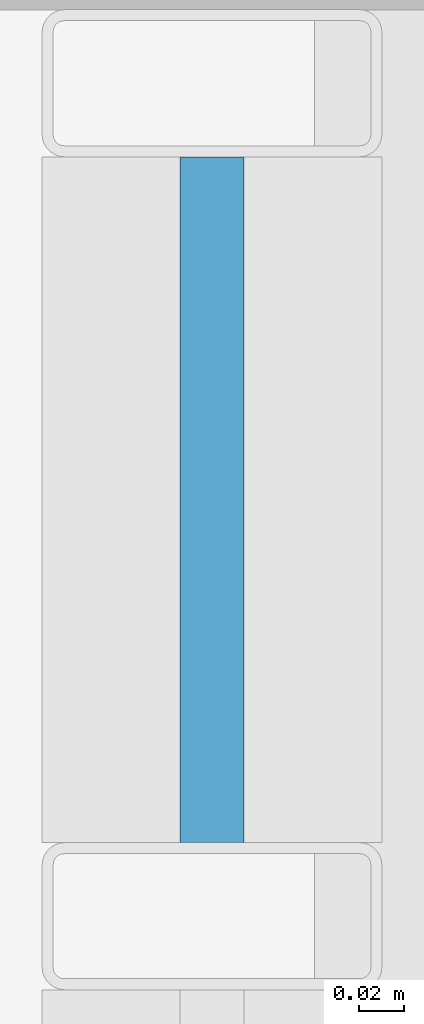
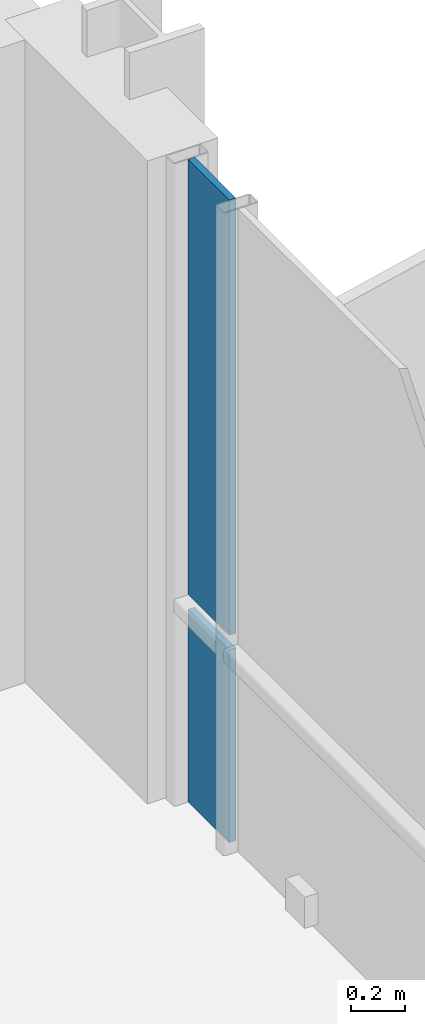
# One storey, part 7 of 13: 2 plates, 1 element without a shape of its own.
"""IFC4 building model written with IfcOpenShell, lengths in metres."""

import ifcopenshell
import ifcopenshell.guid

model = None  # the IFC model being written
_history = None  # IfcOwnerHistory: only IFC2X3 demands one
_inside = {}  # id of a spatial element -> (the spatial element, [elements in it])
_under = {}  # id of a project, library or spatial element -> (it, [spatial elements below it])
_declared = {}  # id of a project -> (the project, [libraries it declares])
_typed = {}  # id of a type object -> (the type object, [elements of that type])
_made_of = {}  # id of a material, layer set ... -> (it, [elements and type objects made of it])


def new_model(schema):
    """Start an empty IFC model of exactly this schema.

    Asked for "IFC4X3", IfcOpenShell would pick the latest addendum, in which some entities
    have other attributes; the version numbers below select the first issue.
    IFC2X3 requires an IfcOwnerHistory on every rooted entity: one is made here for all.
    """
    global model, _history
    if schema == "IFC4X3":
        model = ifcopenshell.file(schema_version=(4, 3, 0, 0))
    else:
        model = ifcopenshell.file(schema=schema)
    _inside.clear()
    _under.clear()
    _declared.clear()
    _typed.clear()
    _made_of.clear()
    _history = None
    if model.schema == "IFC2X3":
        org = make("IfcOrganization", Name="unknown")
        user = make(
            "IfcPersonAndOrganization",
            ThePerson=make("IfcPerson", FamilyName="unknown"),
            TheOrganization=org,
        )
        app = make(
            "IfcApplication",
            ApplicationDeveloper=org,
            Version="unknown",
            ApplicationFullName="unknown",
            ApplicationIdentifier="unknown",
        )
        _history = make(
            "IfcOwnerHistory",
            OwningUser=user,
            OwningApplication=app,
            ChangeAction="ADDED",
            CreationDate=0,
        )
    return model


def make(cls, **values):
    """One entity of the class cls with the attributes given. An attribute that is None is left unset."""
    return model.create_entity(
        cls, **{name: value for name, value in values.items() if value is not None}
    )


def rooted(cls, **values):
    """An entity with a GlobalId (a new one), such as an element, a storey or a relation."""
    return make(cls, GlobalId=ifcopenshell.guid.new(), OwnerHistory=_history, **values)


def si_unit(unit_type, name, prefix=None):
    """IfcSIUnit, for example si_unit("LENGTHUNIT", "METRE", prefix="MILLI")."""
    return make("IfcSIUnit", UnitType=unit_type, Prefix=prefix, Name=name)


def assignment(units):
    """IfcUnitAssignment: the units of a project."""
    return None if units is None else make("IfcUnitAssignment", Units=units)


def point(xyz):
    """IfcCartesianPoint."""
    return None if xyz is None else make("IfcCartesianPoint", Coordinates=xyz)


def direction(xyz):
    """IfcDirection."""
    return None if xyz is None else make("IfcDirection", DirectionRatios=xyz)


def frame(location, z_axis=None, x_axis=None):
    """IfcAxis2Placement3D, a coordinate frame: its origin and axes. An axis left out is left unset."""
    return make(
        "IfcAxis2Placement3D",
        Location=point(location),
        Axis=direction(z_axis),
        RefDirection=direction(x_axis),
    )


def frame_2d(location, x_axis=None):
    """IfcAxis2Placement2D, a coordinate frame in the plane: its origin and x axis."""
    return make(
        "IfcAxis2Placement2D", Location=point(location), RefDirection=direction(x_axis)
    )


def origin():
    """The frame at (0, 0, 0) with its axes left unset."""
    return frame((0.0, 0.0, 0.0))


def origin_2d():
    """The frame at (0, 0) in the plane with its x axis left unset."""
    return frame_2d((0.0, 0.0))


def place(relative_to, where):
    """IfcLocalPlacement: puts the frame where relative to a parent placement (None: the world)."""
    return make(
        "IfcLocalPlacement", PlacementRelTo=relative_to, RelativePlacement=where
    )


def context(
    kind, dimensions, precision=None, world=None, true_north=None, identifier=None
):
    """IfcGeometricRepresentationContext, for example the 3D "Model" context."""
    return make(
        "IfcGeometricRepresentationContext",
        ContextIdentifier=identifier,
        ContextType=kind,
        CoordinateSpaceDimension=dimensions,
        Precision=precision,
        WorldCoordinateSystem=world,
        TrueNorth=true_north,
    )


def subcontext(parent, identifier, kind, view, scale=None):
    """IfcGeometricRepresentationSubContext, for example "Body" below "Model"."""
    return make(
        "IfcGeometricRepresentationSubContext",
        ContextIdentifier=identifier,
        ContextType=kind,
        ParentContext=parent,
        TargetScale=scale,
        TargetView=view,
    )


def project(units=None, contexts=None):
    """IfcProject with its units and contexts."""
    return rooted(
        "IfcProject",
        Name="project",
        RepresentationContexts=contexts,
        UnitsInContext=assignment(units),
    )


def spatial(cls, under=None, at=None, **own):
    """A site, building, storey or space (cls), placed at a placement, below another one or the project."""
    s = rooted(cls, ObjectPlacement=at, **own)
    if under is not None:
        _under.setdefault(under.id(), (under, []))[1].append(s)
    return s


def profile(cls, at=None, kind="AREA", **sizes):
    """A parametric profile (cls). Its sizes go by their IFC names, for example OverallWidth=200.0."""
    return make(cls, ProfileType=kind, Position=at, **sizes)


def rectangle(**sizes):
    """IfcRectangleProfileDef."""
    return profile("IfcRectangleProfileDef", **sizes)


def extrude(swept, where, along, depth):
    """IfcExtrudedAreaSolid: the profile swept, set in the frame where, extruded along a direction by depth."""
    return make(
        "IfcExtrudedAreaSolid",
        SweptArea=swept,
        Position=where,
        ExtrudedDirection=direction(along),
        Depth=depth,
    )


def shape(context_of_items, identifier, shape_type, items):
    """IfcShapeRepresentation: the items that make up one representation, for example the "Body"."""
    return make(
        "IfcShapeRepresentation",
        ContextOfItems=context_of_items,
        RepresentationIdentifier=identifier,
        RepresentationType=shape_type,
        Items=items,
    )


def material(Name=None, Category=None):
    """IfcMaterial."""
    return make("IfcMaterial", Name=Name, Category=Category)


def layer(
    of_material, thickness, ventilated=None, Name=None, Category=None, Priority=None
):
    """IfcMaterialLayer: one layer of a wall or slab, of a material (None: an air gap)."""
    return make(
        "IfcMaterialLayer",
        Material=of_material,
        LayerThickness=thickness,
        IsVentilated=ventilated,
        Name=Name,
        Category=Category,
        Priority=Priority,
    )


def layer_set(layers, Name=None):
    """IfcMaterialLayerSet."""
    return make("IfcMaterialLayerSet", MaterialLayers=layers, LayerSetName=Name)


def made_of(thing, what):
    """Note that an element or type object is made of a material, layer set ...; save() writes the relation."""
    if what is not None:
        _made_of.setdefault(what.id(), (what, []))[1].append(thing)
    return thing


def type_object(cls, material=None, **own):
    """A type object (cls), such as IfcWallType, which elements share."""
    return made_of(rooted(cls, **own), material)


def element(
    cls,
    number,
    at=None,
    inside=None,
    cuts=None,
    type_object=None,
    material=None,
    context=None,
    identifier="Body",
    shape_type=None,
    held_by="IfcProductDefinitionShape",
    body=None,
    shapes=None,
    **own,
):
    """One element of the class cls, such as IfcWall. Its Tag is "e" and its number.

    at: its placement. inside: the storey or other place that contains it. cuts: it is an
    opening in that element (IfcRelVoidsElement). A single representation is given by context,
    identifier, shape_type and body (its items); several are given by shapes. held_by: the class
    of the entity that holds the representations. save() writes the other relations.
    """
    e = rooted(cls, Tag="e%d" % number, ObjectPlacement=at, **own)
    if body is not None:
        shapes = [shape(context, identifier, shape_type, body)]
    if shapes is not None:
        e.Representation = make(held_by, Representations=shapes)
    if inside is not None:
        _inside.setdefault(inside.id(), (inside, []))[1].append(e)
    if cuts is not None:
        rooted(
            "IfcRelVoidsElement", RelatingBuildingElement=cuts, RelatedOpeningElement=e
        )
    if type_object is not None:
        _typed.setdefault(type_object.id(), (type_object, []))[1].append(e)
    return made_of(e, material)


def aggregate(whole, parts):
    """IfcRelAggregates: a whole, such as a stair, and the parts it consists of."""
    return rooted("IfcRelAggregates", RelatingObject=whole, RelatedObjects=parts)


def save(model, path):
    """Write the relations noted so far, then the file.

    IfcRelAggregates (storeys below a building ...), IfcRelContainedInSpatialStructure (elements
    in a storey), IfcRelDefinesByType, IfcRelAssociatesMaterial and IfcRelDeclares: one each for
    every whole, place, type object, material and project.
    """
    for whole, parts in _under.values():
        aggregate(whole, parts)
    for where, things in _inside.values():
        rooted(
            "IfcRelContainedInSpatialStructure",
            RelatedElements=things,
            RelatingStructure=where,
        )
    for kind, things in _typed.values():
        rooted("IfcRelDefinesByType", RelatedObjects=things, RelatingType=kind)
    for what, things in _made_of.values():
        rooted("IfcRelAssociatesMaterial", RelatedObjects=things, RelatingMaterial=what)
    for by, libraries in _declared.values():
        rooted("IfcRelDeclares", RelatingContext=by, RelatedDefinitions=libraries)
    model.write(path)


model = new_model("IFC4")

# Units and contexts
model_context = context("Model", 3, precision=1e-05, world=origin(), true_north=direction((0.0, 1.0)))
body_context = subcontext(model_context, "Body", "Model", "MODEL_VIEW")
ifc_project = project(units=[si_unit("LENGTHUNIT", "METRE"), si_unit("AREAUNIT", "SQUARE_METRE"), si_unit("VOLUMEUNIT", "CUBIC_METRE"), si_unit("PLANEANGLEUNIT", "RADIAN"), si_unit("MASSUNIT", "GRAM", prefix="KILO")], contexts=[model_context])

# Site, building, storey
site_placement = place(None, origin())
site = spatial("IfcSite", under=ifc_project, at=site_placement, CompositionType="ELEMENT")
building_placement = place(site_placement, origin())
building = spatial("IfcBuilding", under=site, at=building_placement, Name="Brevholm Reach", CompositionType="ELEMENT")
storey_placement = place(building_placement, frame((0.0, 0.0, 224.199951171875)))
storey = spatial("IfcBuildingStorey", under=building, at=storey_placement, Name="L68", CompositionType="ELEMENT", Elevation=224.199951171875)

# Curtain wall, plates
ifc_material_1 = material(Name="Dark Anodised Aluminium 6063-T6 and Solar-Control Glass", Category="aluminium")
ifc_layer_1 = layer(ifc_material_1, 0.14990234375)
ifc_layer_set_1 = layer_set([ifc_layer_1], Name="Dark Anodised Aluminium 6063-T6 and Solar-Control Glass")
curtain_wall_type = type_object("IfcCurtainWallType", Name="CW-01", PredefinedType="NOTDEFINED", material=ifc_layer_set_1)
curtain_wall_placement = place(storey_placement, origin())
curtain_wall = element("IfcCurtainWall", 1, at=curtain_wall_placement, inside=storey, type_object=curtain_wall_type, Name="L68 Curtain Wall CW-01", PredefinedType="NOTDEFINED")
ifc_material_2 = material(Name="Dark Solar-Control Double-Glazed IGU Glass", Category="glass")
ifc_layer_2 = layer(ifc_material_2, 0.028076171875)
ifc_layer_set_2 = layer_set([ifc_layer_2], Name="Dark Solar-Control Double-Glazed IGU Glass")
plate_type = type_object("IfcPlateType", Name="CWP-GLZ-28", PredefinedType="CURTAIN_PANEL", material=ifc_layer_set_2)
plate_1_placement = place(storey_placement, frame((59.85009765625, 22.733642578125, 0.0), z_axis=(0.0, 0.0, 1.0), x_axis=(0.0, 1.0, 0.0)))
plate_1 = element("IfcPlate", 2, at=plate_1_placement, type_object=plate_type, Name="CP-01 Glazing Panel 5.1", PredefinedType="CURTAIN_PANEL", context=body_context, shape_type="SweptSolid", body=[
    extrude(rectangle(XDim=0.302490234375, YDim=0.028076171875, at=origin_2d()), origin(), (0.0, 0.0, 1.0), 0.867431640625),
])
plate_2_placement = place(storey_placement, frame((59.85009765625, 22.733642578125, 0.9326171875), z_axis=(0.0, 0.0, 1.0), x_axis=(0.0, 1.0, 0.0)))
plate_2 = element("IfcPlate", 3, at=plate_2_placement, type_object=plate_type, Name="CP-01 Glazing Panel 5.2", PredefinedType="CURTAIN_PANEL", context=body_context, shape_type="SweptSolid", body=[
    extrude(rectangle(XDim=0.302490234375, YDim=0.028076171875, at=origin_2d()), origin(), (0.0, 0.0, 1.0), 1.95751953125),
])
aggregate(curtain_wall, [plate_1, plate_2])

save(model, "model.ifc")
